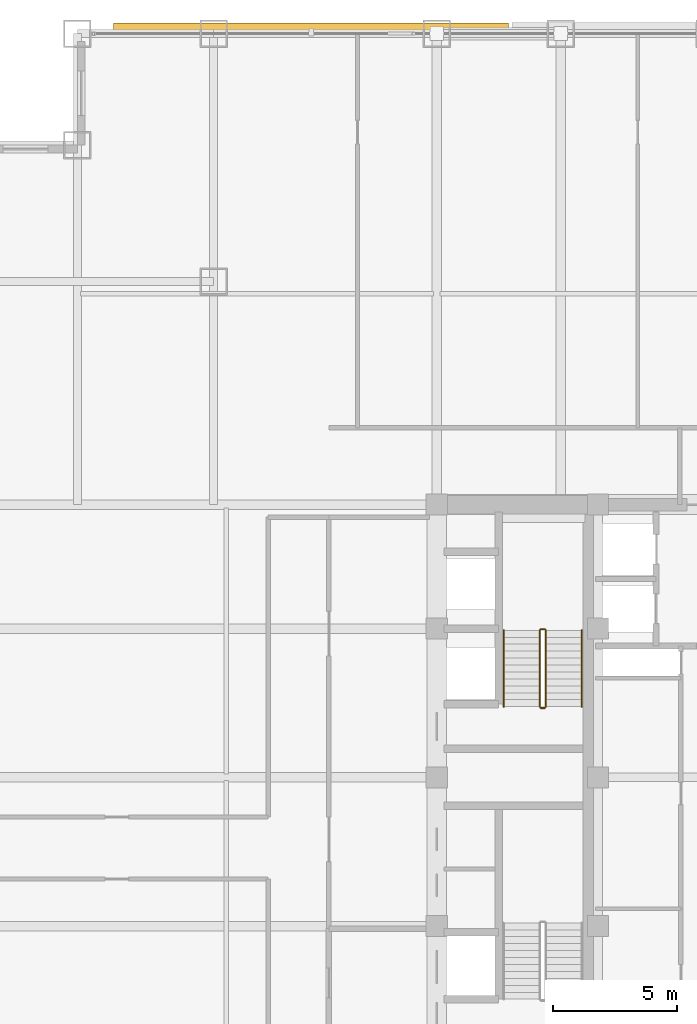
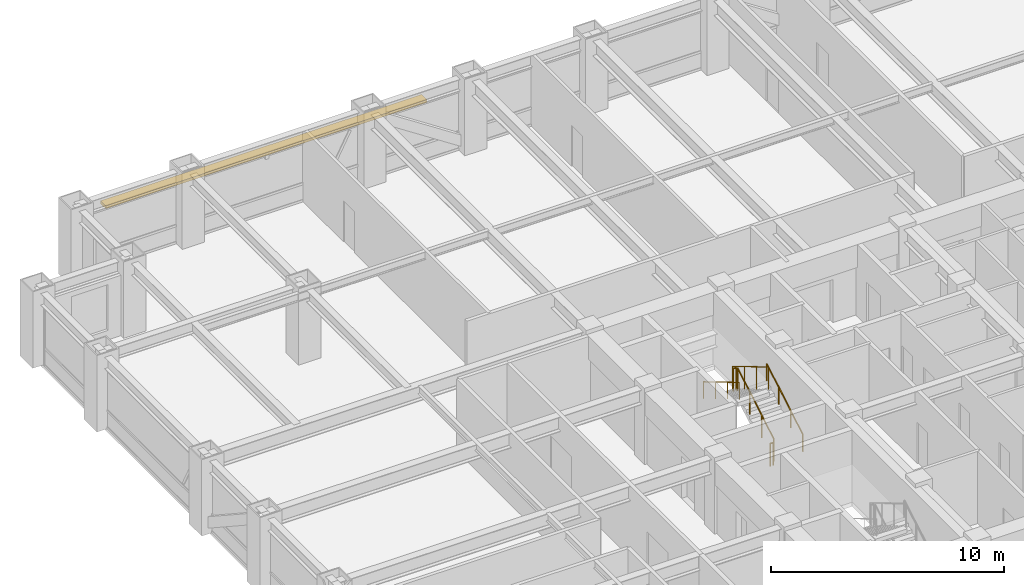
# One storey, part 27 of 28: 6 railings, 1 shading device.
"""IFC4 building model written with IfcOpenShell, lengths in metres."""

from ifc_helpers import new_model, si_unit, direction, frame, origin, origin_2d, place, context, subcontext, project, spatial, rectangle, circle, extrude, source, transform, mapped, material, layer, layer_set, type_object, element, save


model = new_model("IFC4")

# Units and contexts
model_context = context("Model", 3, precision=1e-05, world=origin(), true_north=direction((0.0, 1.0)))
body_context = subcontext(model_context, "Body", "Model", "MODEL_VIEW")
ifc_project = project(units=[si_unit("LENGTHUNIT", "METRE"), si_unit("AREAUNIT", "SQUARE_METRE"), si_unit("VOLUMEUNIT", "CUBIC_METRE"), si_unit("PLANEANGLEUNIT", "RADIAN"), si_unit("MASSUNIT", "GRAM", prefix="KILO")], contexts=[model_context])

# Site, building, storey
site_placement = place(None, origin())
site = spatial("IfcSite", under=ifc_project, at=site_placement, CompositionType="ELEMENT")
building_placement = place(site_placement, origin())
building = spatial("IfcBuilding", under=site, at=building_placement, Name="Khorayat Bourse Tower", CompositionType="ELEMENT")
storey_placement = place(building_placement, frame((0.0, 0.0, 183.10009765625)))
storey = spatial("IfcBuildingStorey", under=building, at=storey_placement, Name="L42", CompositionType="ELEMENT", Elevation=183.10009765625)

# Shading device
ifc_material_1 = material(Name="Precast concrete C45/55", Category="concrete")
ifc_layer = layer(ifc_material_1, 0.139892578125)
ifc_layer_set = layer_set([ifc_layer], Name="Precast concrete C45/55")
shading_device_type = type_object("IfcShadingDeviceType", Name="SHD-WAVE-TRAY-A", PredefinedType="USERDEFINED", material=ifc_layer_set)
shared_shape_1 = source(origin(), body_context, "Body", "SweptSolid", [
    extrude(rectangle(XDim=15.9267578125, YDim=0.456787109375, at=origin_2d()), origin(), (0.0, 0.0, 1.0), 0.139892578125),
])
shading_device_placement = place(storey_placement, frame((-16.066650390625, 30.20849609375, 3.02978515625), z_axis=(0.0, 0.0, 1.0), x_axis=(1.0, 0.0, 0.0)))
element("IfcShadingDevice", 1, at=shading_device_placement, inside=storey, type_object=shading_device_type, Name="L42 Sinusoidal Wave Sunshade Tray N-1", ObjectType="SUNSHADE", PredefinedType="USERDEFINED", context=body_context, shape_type="MappedRepresentation", body=[
    mapped(shared_shape_1, transform((0.0, 0.0, 0.0), scale=1.0)),
])

# Railings
ifc_material_2 = material(Name="Powder-coated steel balustrade", Category="steel")
railing_type_1 = type_object("IfcRailingType", Name="RLG-GUARD-1200", PredefinedType="GUARDRAIL", material=ifc_material_2)
shared_shape_2 = source(origin(), body_context, "Body", "SweptSolid", [
    extrude(circle(Radius=0.02392578125, at=origin_2d()), frame((0.0, 0.0, 1.17578125), z_axis=(-1.0, 0.0, 0.0), x_axis=(0.0, -1.0, 0.0)), (0.0, 0.0, 1.0), 0.150146484375),
    extrude(circle(Radius=0.02099609375, at=origin_2d()), origin(), (0.0, 0.0, 1.0), 1.15185546875),
    extrude(circle(Radius=0.02099609375, at=origin_2d()), frame((-0.150146484375, 0.0, 0.0)), (0.0, 0.0, 1.0), 1.15185546875),
])
for number, where, name in (
    (2, (-6.64990234375, 5.97998046875, 2.0), "L42 ST-2 stair guard 2"),
    (3, (-6.64990234375, 2.800048828125, 0.0), "L42 ST-2 stair guard 4"),
):
    element("IfcRailing", number, at=place(storey_placement, frame(where)), inside=storey, type_object=railing_type_1, Name=name, PredefinedType="GUARDRAIL", context=body_context, shape_type="MappedRepresentation", body=[
        mapped(shared_shape_2, transform((0.0, 0.0, 0.0), scale=1.0)),
    ])
shared_shape_3 = source(origin(), body_context, "Body", "SweptSolid", [
    extrude(circle(Radius=0.02392578125, at=origin_2d()), frame((0.0, 0.0, 1.17578125), z_axis=(0.0, 0.859260807169, 0.511537745687), x_axis=(-1.0, 0.0, 0.0)), (0.0, 0.0, 1.0), 3.584228515625),
    extrude(circle(Radius=0.02099609375, at=origin_2d()), origin(), (0.0, 0.0, 1.0), 1.15185546875),
    extrude(circle(Radius=0.02099609375, at=origin_2d()), frame((0.0, 1.026611328125, 0.611083984375)), (0.0, 0.0, 1.0), 1.15185546875),
    extrude(circle(Radius=0.02099609375, at=origin_2d()), frame((0.0, 2.05322265625, 1.222412109375)), (0.0, 0.0, 1.0), 1.15185546875),
    extrude(circle(Radius=0.02099609375, at=origin_2d()), frame((0.0, 3.079833984375, 1.83349609375)), (0.0, 0.0, 1.0), 1.15185546875),
])
railing_1_placement = place(storey_placement, frame((-6.60009765625, 2.85009765625, 0.16650390625)))
element("IfcRailing", 4, at=railing_1_placement, inside=storey, type_object=railing_type_1, Name="L42 ST-2 stair guard 1", PredefinedType="GUARDRAIL", context=body_context, shape_type="MappedRepresentation", body=[
    mapped(shared_shape_3, transform((0.0, 0.0, 0.0), scale=1.0)),
])
shared_shape_4 = source(origin(), body_context, "Body", "SweptSolid", [
    extrude(circle(Radius=0.02392578125, at=origin_2d()), frame((0.0, 0.0, 1.17578125), z_axis=(0.0, -0.859260807169, 0.511537745687), x_axis=(1.0, 0.0, 0.0)), (0.0, 0.0, 1.0), 3.584228515625),
    extrude(circle(Radius=0.02099609375, at=origin_2d()), origin(), (0.0, 0.0, 1.0), 1.15185546875),
    extrude(circle(Radius=0.02099609375, at=origin_2d()), frame((0.0, -1.026611328125, 0.611083984375)), (0.0, 0.0, 1.0), 1.15185546875),
    extrude(circle(Radius=0.02099609375, at=origin_2d()), frame((0.0, -2.05322265625, 1.222412109375)), (0.0, 0.0, 1.0), 1.15185546875),
    extrude(circle(Radius=0.02099609375, at=origin_2d()), frame((0.0, -3.079833984375, 1.83349609375)), (0.0, 0.0, 1.0), 1.15185546875),
])
railing_2_placement = place(storey_placement, frame((-6.85009765625, 5.929931640625, 2.16650390625)))
element("IfcRailing", 5, at=railing_2_placement, inside=storey, type_object=railing_type_1, Name="L42 ST-2 stair guard 3", PredefinedType="GUARDRAIL", context=body_context, shape_type="MappedRepresentation", body=[
    mapped(shared_shape_4, transform((0.0, 0.0, 0.0), scale=1.0)),
])
ifc_material_3 = material(Name="Brushed bronze stainless-steel handrail", Category="steel")
railing_type_2 = type_object("IfcRailingType", Name="RLG-HAND-900", PredefinedType="HANDRAIL", material=ifc_material_3)
shared_shape_5 = source(origin(), body_context, "Body", "SweptSolid", [
    extrude(circle(Radius=0.02392578125, at=origin_2d()), frame((0.0, 0.0, 0.8759765625), z_axis=(0.0, 0.859260807169, 0.511537745687), x_axis=(-1.0, 0.0, 0.0)), (0.0, 0.0, 1.0), 3.584228515625),
    extrude(circle(Radius=0.02099609375, at=origin_2d()), origin(), (0.0, 0.0, 1.0), 0.851806640625),
    extrude(circle(Radius=0.02099609375, at=origin_2d()), frame((0.0, 1.026611328125, 0.611083984375)), (0.0, 0.0, 1.0), 0.851806640625),
    extrude(circle(Radius=0.02099609375, at=origin_2d()), frame((0.0, 2.05322265625, 1.222412109375)), (0.0, 0.0, 1.0), 0.851806640625),
    extrude(circle(Radius=0.02099609375, at=origin_2d()), frame((0.0, 3.079833984375, 1.83349609375)), (0.0, 0.0, 1.0), 0.851806640625),
])
railing_3_placement = place(storey_placement, frame((-5.14990234375, 2.85009765625, 0.16650390625)))
element("IfcRailing", 6, at=railing_3_placement, inside=storey, type_object=railing_type_2, Name="L42 ST-2 stair handrail 1", PredefinedType="HANDRAIL", context=body_context, shape_type="MappedRepresentation", body=[
    mapped(shared_shape_5, transform((0.0, 0.0, 0.0), scale=1.0)),
])
shared_shape_6 = source(origin(), body_context, "Body", "SweptSolid", [
    extrude(circle(Radius=0.02392578125, at=origin_2d()), frame((0.0, 0.0, 0.8759765625), z_axis=(0.0, -0.859260807169, 0.511537745687), x_axis=(1.0, 0.0, 0.0)), (0.0, 0.0, 1.0), 3.584228515625),
    extrude(circle(Radius=0.02099609375, at=origin_2d()), origin(), (0.0, 0.0, 1.0), 0.851806640625),
    extrude(circle(Radius=0.02099609375, at=origin_2d()), frame((0.0, -1.026611328125, 0.611083984375)), (0.0, 0.0, 1.0), 0.851806640625),
    extrude(circle(Radius=0.02099609375, at=origin_2d()), frame((0.0, -2.05322265625, 1.222412109375)), (0.0, 0.0, 1.0), 0.851806640625),
    extrude(circle(Radius=0.02099609375, at=origin_2d()), frame((0.0, -3.079833984375, 1.83349609375)), (0.0, 0.0, 1.0), 0.851806640625),
])
railing_4_placement = place(storey_placement, frame((-8.300048828125, 5.929931640625, 2.16650390625)))
element("IfcRailing", 7, at=railing_4_placement, inside=storey, type_object=railing_type_2, Name="L42 ST-2 stair handrail 2", PredefinedType="HANDRAIL", context=body_context, shape_type="MappedRepresentation", body=[
    mapped(shared_shape_6, transform((0.0, 0.0, 0.0), scale=1.0)),
])

save(model, "model.ifc")
